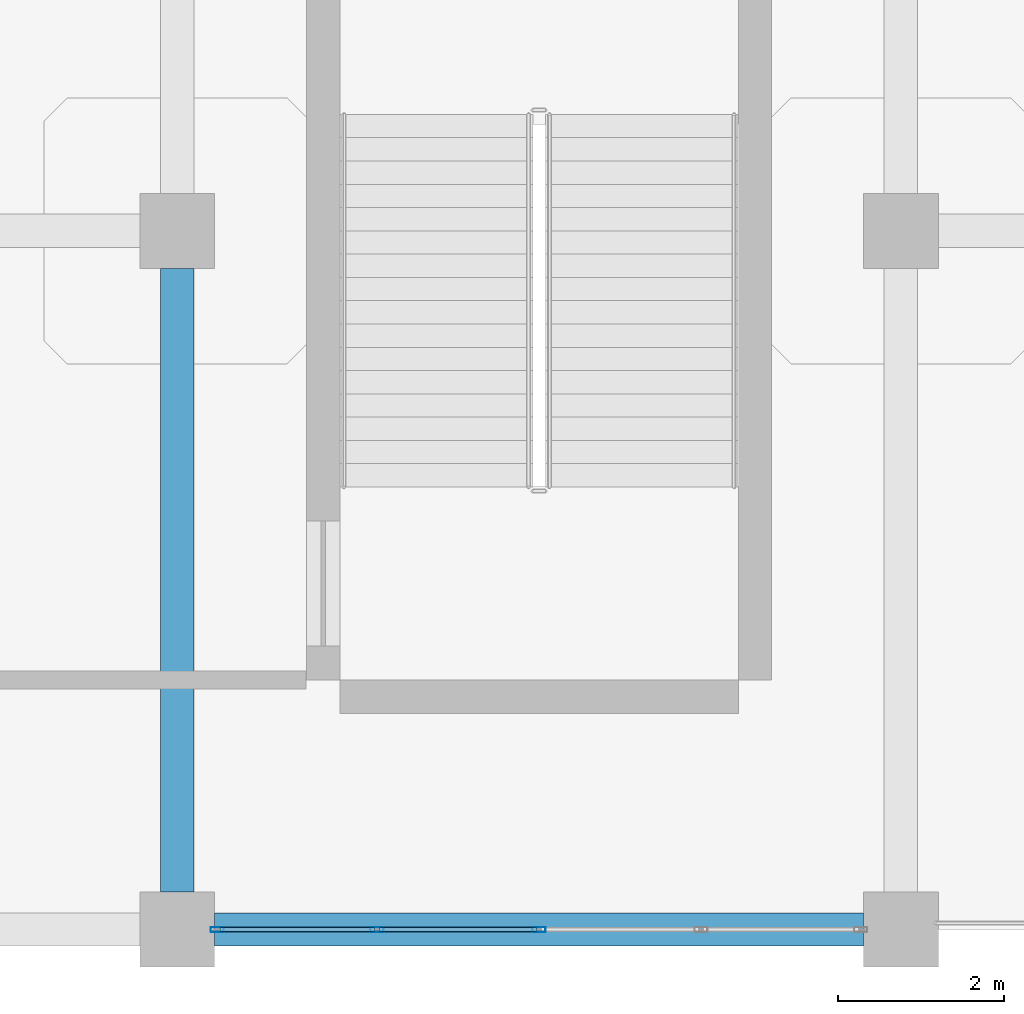
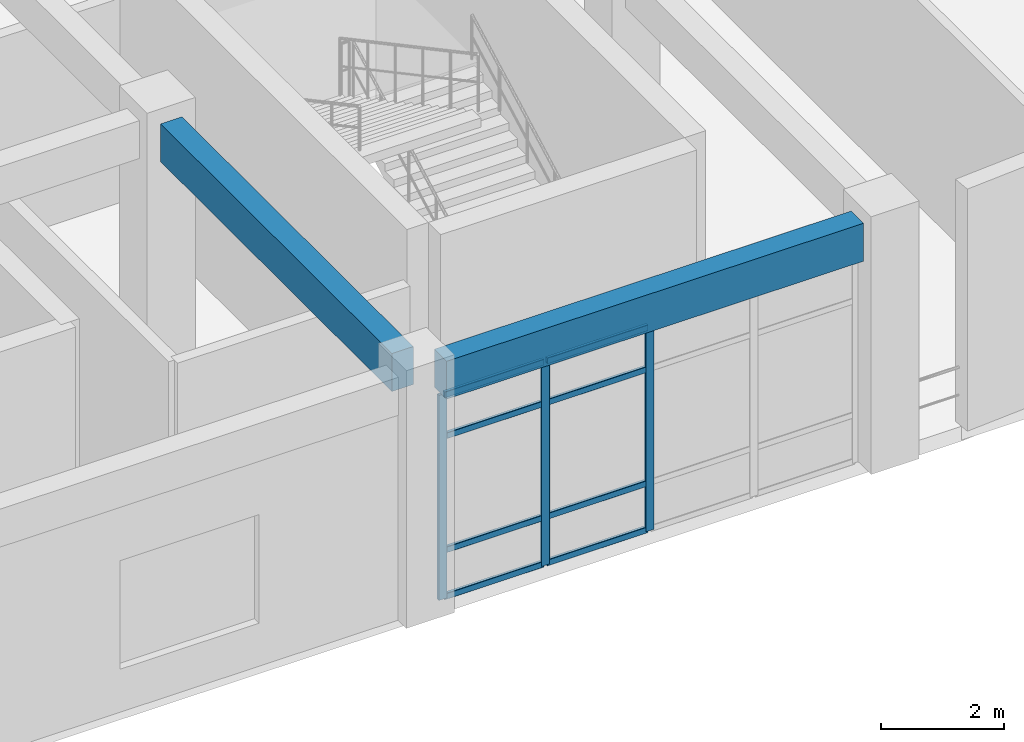
# One storey, part 57 of 120: 11 members, 2 beams, 1 element without a shape of its own.
"""IFC4 building model written with IfcOpenShell, lengths in metres."""

from ifc_helpers import new_model, si_unit, derived_unit, direction, frame, origin, origin_2d, place, context, subcontext, project, spatial, rectangle, hollow_rectangle, extrude, material, layer, layer_set, material_profile, profile_set, type_object, element, aggregate, save


model = new_model("IFC4")

# Units and contexts
model_context = context("Model", 3, precision=1e-05, world=origin(), true_north=direction((0.0, 1.0)))
body_context = subcontext(model_context, "Body", "Model", "MODEL_VIEW")
ifc_project = project(units=[si_unit("LENGTHUNIT", "METRE"), si_unit("AREAUNIT", "SQUARE_METRE"), si_unit("VOLUMEUNIT", "CUBIC_METRE"), si_unit("PLANEANGLEUNIT", "RADIAN"), si_unit("MASSUNIT", "GRAM", prefix="KILO"), derived_unit("THERMALTRANSMITTANCEUNIT", [(si_unit("MASSUNIT", "GRAM", prefix="KILO"), 1), (si_unit("TIMEUNIT", "SECOND"), -3), (si_unit("THERMODYNAMICTEMPERATUREUNIT", "KELVIN"), -1)])], contexts=[model_context])

# Site, building, storey
site_placement = place(None, origin())
site = spatial("IfcSite", under=ifc_project, at=site_placement, CompositionType="ELEMENT")
building_placement = place(site_placement, origin())
building = spatial("IfcBuilding", under=site, at=building_placement, Name="Qinzheling Arcade Emporium", CompositionType="ELEMENT")
storey_placement = place(building_placement, frame((0.0, 0.0, 11.39990234375)))
storey = spatial("IfcBuildingStorey", under=building, at=storey_placement, Name="L03", CompositionType="ELEMENT", Elevation=11.39990234375)

# Curtain wall, members
ifc_material_1 = material(Name="Anodised aluminium and solar-control double glazing", Category="aluminium")
ifc_layer = layer(ifc_material_1, 0.159912109375, Name="Anodised aluminium and solar-control double glazing", Category="aluminium")
ifc_layer_set = layer_set([ifc_layer], Name="Anodised aluminium and solar-control double glazing")
curtain_wall_type = type_object("IfcCurtainWallType", Name="Food Hall Loggia Curtain Wall", PredefinedType="NOTDEFINED", material=ifc_layer_set)
curtain_wall_placement = place(storey_placement, origin())
curtain_wall = element("IfcCurtainWall", 1, at=curtain_wall_placement, inside=storey, type_object=curtain_wall_type, Name="Curtain Wall CW-L03-137", PredefinedType="NOTDEFINED")
ifc_material_2 = material(Name="Anodised aluminium 6063-T6", Category="aluminium")
ifc_material_profile_1 = material_profile(ifc_material_2, hollow_rectangle(XDim=0.06005859375, YDim=0.159912109375, WallThickness=0.00390625, InnerFilletRadius=0.00390625, OuterFilletRadius=0.008056640625, at=origin_2d()), Name="RHS 160x60x4", Category="aluminium")
ifc_profile_set_1 = profile_set([ifc_material_profile_1], Name="Anodised aluminium 6063-T6")
member_type_1 = type_object("IfcMemberType", Name="Curtain Wall Mullion RHS160x60", PredefinedType="MULLION", material=ifc_profile_set_1)
member_1_placement = place(storey_placement, frame((143.550048828125, 0.0, 0.0), z_axis=(0.0, 0.0, 1.0), x_axis=(0.0, -1.0, 0.0)))
member_1 = element("IfcMember", 2, at=member_1_placement, type_object=member_type_1, Name="CW04 mullion 3", PredefinedType="MULLION", context=body_context, shape_type="SweptSolid", body=[
    extrude(hollow_rectangle(XDim=0.06005859375, YDim=0.159912109375, WallThickness=0.00390625, InnerFilletRadius=0.00390625, OuterFilletRadius=0.008056640625, at=origin_2d()), origin(), (0.0, 0.0, 1.0), 4.05517578125),
])
member_2_placement = place(storey_placement, frame((141.60107421875, 0.0, 0.0), z_axis=(0.0, 0.0, 1.0), x_axis=(0.0, -1.0, 0.0)))
member_2 = element("IfcMember", 3, at=member_2_placement, type_object=member_type_1, Name="CW04 mullion 4", PredefinedType="MULLION", context=body_context, shape_type="SweptSolid", body=[
    extrude(hollow_rectangle(XDim=0.06005859375, YDim=0.159912109375, WallThickness=0.00390625, InnerFilletRadius=0.00390625, OuterFilletRadius=0.008056640625, at=origin_2d()), origin(), (0.0, 0.0, 1.0), 4.05517578125),
])
member_3_placement = place(storey_placement, frame((139.681884765625, 0.0, 0.0), z_axis=(0.0, 0.0, 1.0), x_axis=(0.0, -1.0, 0.0)))
member_3 = element("IfcMember", 4, at=member_3_placement, type_object=member_type_1, Name="CW04 mullion 5", PredefinedType="MULLION", context=body_context, shape_type="SweptSolid", body=[
    extrude(hollow_rectangle(XDim=0.06005859375, YDim=0.159912109375, WallThickness=0.00390625, InnerFilletRadius=0.00390625, OuterFilletRadius=0.008056640625, at=origin_2d()), origin(), (0.0, 0.0, 1.0), 4.05517578125),
])
ifc_material_profile_2 = material_profile(ifc_material_2, hollow_rectangle(XDim=0.06005859375, YDim=0.1201171875, WallThickness=0.00390625, InnerFilletRadius=0.00390625, OuterFilletRadius=0.008056640625, at=origin_2d()), Name="RHS 120x60x4", Category="aluminium")
ifc_profile_set_2 = profile_set([ifc_material_profile_2], Name="Anodised aluminium 6063-T6")
member_type_2 = type_object("IfcMemberType", Name="Curtain Wall Transom RHS120x60", PredefinedType="USERDEFINED", material=ifc_profile_set_2)
member_4_placement = place(storey_placement, frame((143.52001953125, 0.0, 0.030029296875), z_axis=(-1.0, 0.0, 0.0), x_axis=(0.0, -1.0, 0.0)))
member_4 = element("IfcMember", 5, at=member_4_placement, type_object=member_type_2, Name="CW04 transom 3.1", ObjectType="TRANSOM", PredefinedType="USERDEFINED", context=body_context, shape_type="SweptSolid", body=[
    extrude(hollow_rectangle(XDim=0.06005859375, YDim=0.1201171875, WallThickness=0.00390625, InnerFilletRadius=0.00390625, OuterFilletRadius=0.008056640625, at=origin_2d()), origin(), (0.0, 0.0, 1.0), 1.888916015625),
])
member_5_placement = place(storey_placement, frame((143.52001953125, 0.0, 0.9501953125), z_axis=(-1.0, 0.0, 0.0), x_axis=(0.0, -1.0, 0.0)))
member_5 = element("IfcMember", 6, at=member_5_placement, type_object=member_type_2, Name="CW04 transom 3.2", ObjectType="TRANSOM", PredefinedType="USERDEFINED", context=body_context, shape_type="SweptSolid", body=[
    extrude(hollow_rectangle(XDim=0.06005859375, YDim=0.1201171875, WallThickness=0.00390625, InnerFilletRadius=0.00390625, OuterFilletRadius=0.008056640625, at=origin_2d()), origin(), (0.0, 0.0, 1.0), 1.888916015625),
])
member_6_placement = place(storey_placement, frame((143.52001953125, 0.0, 3.205078125), z_axis=(-1.0, 0.0, 0.0), x_axis=(0.0, -1.0, 0.0)))
member_6 = element("IfcMember", 7, at=member_6_placement, type_object=member_type_2, Name="CW04 transom 3.3", ObjectType="TRANSOM", PredefinedType="USERDEFINED", context=body_context, shape_type="SweptSolid", body=[
    extrude(hollow_rectangle(XDim=0.06005859375, YDim=0.1201171875, WallThickness=0.00390625, InnerFilletRadius=0.00390625, OuterFilletRadius=0.008056640625, at=origin_2d()), origin(), (0.0, 0.0, 1.0), 1.888916015625),
])
member_7_placement = place(storey_placement, frame((143.52001953125, 0.0, 4.025146484375), z_axis=(-1.0, 0.0, 0.0), x_axis=(0.0, -1.0, 0.0)))
member_7 = element("IfcMember", 8, at=member_7_placement, type_object=member_type_2, Name="CW04 transom 3.4", ObjectType="TRANSOM", PredefinedType="USERDEFINED", context=body_context, shape_type="SweptSolid", body=[
    extrude(hollow_rectangle(XDim=0.06005859375, YDim=0.1201171875, WallThickness=0.00390625, InnerFilletRadius=0.00390625, OuterFilletRadius=0.008056640625, at=origin_2d()), origin(), (0.0, 0.0, 1.0), 1.888916015625),
])
member_8_placement = place(storey_placement, frame((141.571044921875, 0.0, 0.030029296875), z_axis=(-1.0, 0.0, 0.0), x_axis=(0.0, -1.0, 0.0)))
member_8 = element("IfcMember", 9, at=member_8_placement, type_object=member_type_2, Name="CW04 transom 4.1", ObjectType="TRANSOM", PredefinedType="USERDEFINED", context=body_context, shape_type="SweptSolid", body=[
    extrude(hollow_rectangle(XDim=0.06005859375, YDim=0.1201171875, WallThickness=0.00390625, InnerFilletRadius=0.00390625, OuterFilletRadius=0.008056640625, at=origin_2d()), origin(), (0.0, 0.0, 1.0), 1.859130859375),
])
member_9_placement = place(storey_placement, frame((141.571044921875, 0.0, 0.9501953125), z_axis=(-1.0, 0.0, 0.0), x_axis=(0.0, -1.0, 0.0)))
member_9 = element("IfcMember", 10, at=member_9_placement, type_object=member_type_2, Name="CW04 transom 4.2", ObjectType="TRANSOM", PredefinedType="USERDEFINED", context=body_context, shape_type="SweptSolid", body=[
    extrude(hollow_rectangle(XDim=0.06005859375, YDim=0.1201171875, WallThickness=0.00390625, InnerFilletRadius=0.00390625, OuterFilletRadius=0.008056640625, at=origin_2d()), origin(), (0.0, 0.0, 1.0), 1.859130859375),
])
member_10_placement = place(storey_placement, frame((141.571044921875, 0.0, 3.205078125), z_axis=(-1.0, 0.0, 0.0), x_axis=(0.0, -1.0, 0.0)))
member_10 = element("IfcMember", 11, at=member_10_placement, type_object=member_type_2, Name="CW04 transom 4.3", ObjectType="TRANSOM", PredefinedType="USERDEFINED", context=body_context, shape_type="SweptSolid", body=[
    extrude(hollow_rectangle(XDim=0.06005859375, YDim=0.1201171875, WallThickness=0.00390625, InnerFilletRadius=0.00390625, OuterFilletRadius=0.008056640625, at=origin_2d()), origin(), (0.0, 0.0, 1.0), 1.859130859375),
])
member_11_placement = place(storey_placement, frame((141.571044921875, 0.0, 4.025146484375), z_axis=(-1.0, 0.0, 0.0), x_axis=(0.0, -1.0, 0.0)))
member_11 = element("IfcMember", 12, at=member_11_placement, type_object=member_type_2, Name="CW04 transom 4.4", ObjectType="TRANSOM", PredefinedType="USERDEFINED", context=body_context, shape_type="SweptSolid", body=[
    extrude(hollow_rectangle(XDim=0.06005859375, YDim=0.1201171875, WallThickness=0.00390625, InnerFilletRadius=0.00390625, OuterFilletRadius=0.008056640625, at=origin_2d()), origin(), (0.0, 0.0, 1.0), 1.859130859375),
])
aggregate(curtain_wall, [member_1, member_2, member_3, member_4, member_5, member_6, member_7, member_8, member_9, member_10, member_11])

# Beams
ifc_material_3 = material(Name="Concrete C40", Category="concrete")
ifc_material_profile_3 = material_profile(ifc_material_3, rectangle(XDim=0.39990234375, YDim=0.75, at=origin_2d()), Name="RC 400x750", Category="concrete")
ifc_profile_set_3 = profile_set([ifc_material_profile_3], Name="Concrete C40")
beam_type = type_object("IfcBeamType", Name="RC Interior Tie Beam 400x750 C40", PredefinedType="BEAM", material=ifc_profile_set_3)
beam_1_placement = place(storey_placement, frame((139.64990234375, 0.0, 4.445068359375), z_axis=(1.0, 0.0, 0.0), x_axis=(0.0, 1.0, 0.0)))
element("IfcBeam", 13, at=beam_1_placement, inside=storey, type_object=beam_type, Name="Beam BM-L03-X-A-17", PredefinedType="BEAM", context=body_context, shape_type="SweptSolid", body=[
    extrude(rectangle(XDim=0.39990234375, YDim=0.75, at=origin_2d()), origin(), (0.0, 0.0, 1.0), 7.800048828125),
])
beam_2_placement = place(storey_placement, frame((139.199951171875, 0.449951171875, 4.43017578125), z_axis=(0.0, 1.0, 0.0), x_axis=(-1.0, 0.0, 0.0)))
element("IfcBeam", 14, at=beam_2_placement, inside=storey, type_object=beam_type, Name="Beam BM-L03-Y-17-A", PredefinedType="BEAM", context=body_context, shape_type="SweptSolid", body=[
    extrude(rectangle(XDim=0.39990234375, YDim=0.75, at=origin_2d()), origin(), (0.0, 0.0, 1.0), 7.5),
])

save(model, "model.ifc")
